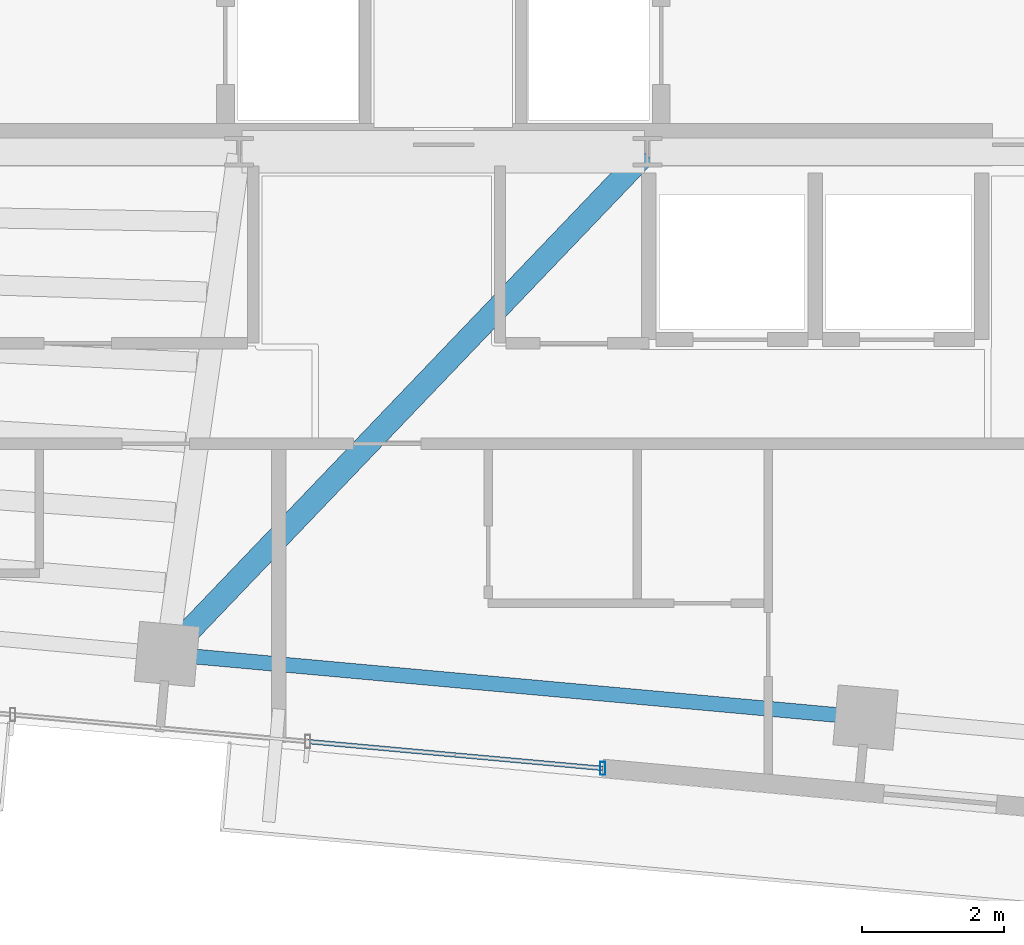
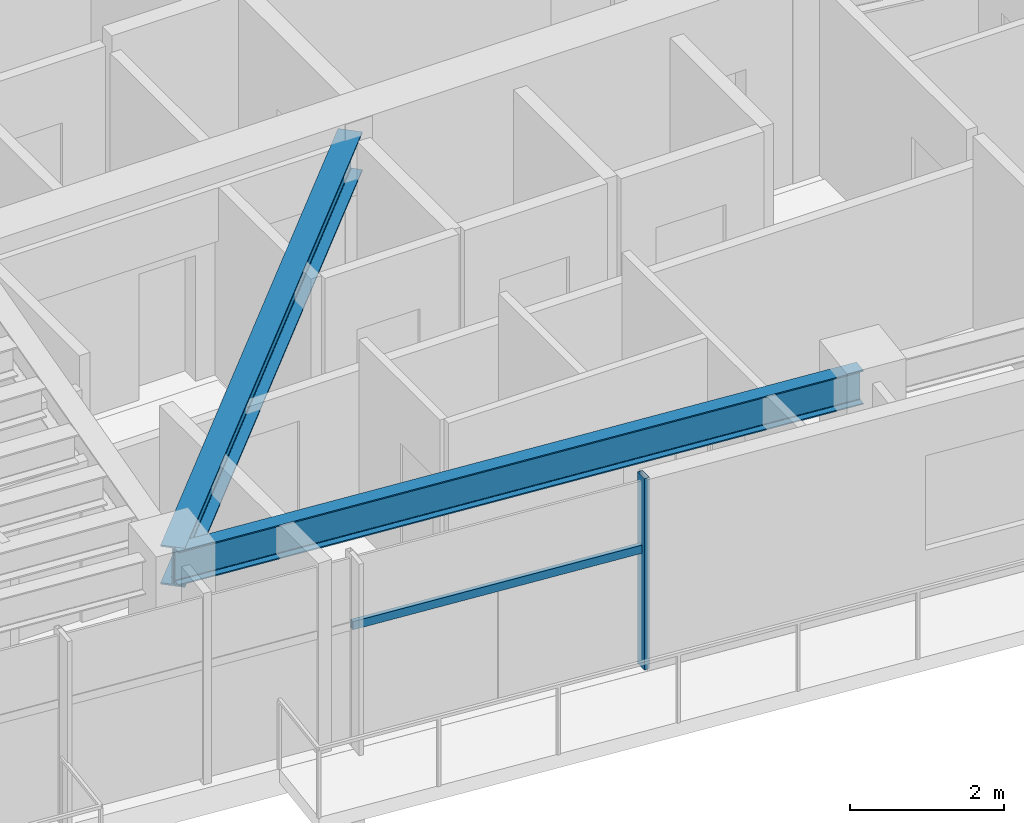
# One storey, part 7 of 22: 2 beams, 2 members, 1 element without a shape of its own.
"""IFC4 building model written with IfcOpenShell, lengths in metres."""

from ifc_helpers import new_model, si_unit, direction, frame, origin, origin_2d, place, context, subcontext, project, spatial, hollow_rectangle, i_section, extrude, source, transform, mapped, material, material_profile, profile_set, type_object, type_shapes, element, aggregate, save


model = new_model("IFC4")

# Units and contexts
model_context = context("Model", 3, precision=1e-05, world=origin(), true_north=direction((0.0, 1.0)))
body_context = subcontext(model_context, "Body", "Model", "MODEL_VIEW")
ifc_project = project(units=[si_unit("LENGTHUNIT", "METRE"), si_unit("AREAUNIT", "SQUARE_METRE"), si_unit("VOLUMEUNIT", "CUBIC_METRE"), si_unit("PLANEANGLEUNIT", "RADIAN"), si_unit("MASSUNIT", "GRAM", prefix="KILO")], contexts=[model_context])

# Site, building, storey
site_placement = place(None, origin())
site = spatial("IfcSite", under=ifc_project, at=site_placement, CompositionType="ELEMENT")
building_placement = place(site_placement, origin())
building = spatial("IfcBuilding", under=site, at=building_placement, Name="Astriad Promenade Condominiums", CompositionType="ELEMENT")
storey_placement = place(building_placement, frame((0.0, 0.0, 216.60009765625)))
storey = spatial("IfcBuildingStorey", under=building, at=storey_placement, Name="L62", CompositionType="ELEMENT", Elevation=216.60009765625)

# Beams
ifc_material_1 = material(Name="Steel ASTM A992 Grade 50", Category="steel")
ifc_material_profile_1 = material_profile(ifc_material_1, i_section(OverallWidth=0.210693359375, OverallDepth=0.53955078125, WebThickness=0.01171875, FlangeThickness=0.018798828125, FilletRadius=0.0166015625, at=origin_2d()), Name="W21X73")
ifc_profile_set_1 = profile_set([ifc_material_profile_1], Name="Steel ASTM A992 Grade 50")
beam_type_1 = type_object("IfcBeamType", Name="STEEL SPANDREL BEAM W21X73", PredefinedType="SPANDREL", material=ifc_profile_set_1)
shared_shape_1 = source(origin(), body_context, "Body", "SweptSolid", [
    extrude(i_section(OverallWidth=0.210693359375, OverallDepth=0.53955078125, WebThickness=0.01171875, FlangeThickness=0.018798828125, FilletRadius=0.0166015625, at=origin_2d()), origin(), (0.0, 0.0, 1.0), 9.820068359375),
])
type_shapes(beam_type_1, [shared_shape_1])
beam_1_placement = place(storey_placement, frame((32.14013671875, 10.30810546875, 2.77001953125), z_axis=(0.995885663174, -0.090618683965, 0.0), x_axis=(0.090618683965, 0.995885663174, 0.0)))
element("IfcBeam", 1, at=beam_1_placement, inside=storey, type_object=beam_type_1, Name="Perimeter Spandrel Beam SP-S3-L62", PredefinedType="SPANDREL", context=body_context, shape_type="MappedRepresentation", body=[
    mapped(shared_shape_1, transform((0.0, 0.0, 0.0), scale=1.0)),
])
ifc_material_profile_2 = material_profile(ifc_material_1, i_section(OverallWidth=0.326416015625, OverallDepth=0.621826171875, WebThickness=0.015380859375, FlangeThickness=0.0244140625, FilletRadius=0.017822265625, at=origin_2d()), Name="W24X131")
ifc_profile_set_2 = profile_set([ifc_material_profile_2], Name="Steel ASTM A992 Grade 50")
beam_type_2 = type_object("IfcBeamType", Name="STEEL FLOOR GIRDER W24X131", PredefinedType="BEAM", material=ifc_profile_set_2)
shared_shape_2 = source(origin(), body_context, "Body", "SweptSolid", [
    extrude(i_section(OverallWidth=0.326416015625, OverallDepth=0.621826171875, WebThickness=0.015380859375, FlangeThickness=0.0244140625, FilletRadius=0.017822265625, at=origin_2d()), origin(), (0.0, 0.0, 1.0), 9.728515625),
])
type_shapes(beam_type_2, [shared_shape_2])
beam_2_placement = place(storey_placement, frame((32.1279296875, 10.3408203125, 2.72900390625), z_axis=(0.691209540622, 0.722654392468, 0.0), x_axis=(-0.722654392468, 0.691209540622, 0.0)))
element("IfcBeam", 2, at=beam_2_placement, inside=storey, type_object=beam_type_2, Name="Primary Floor Girder PG-C2-L62", PredefinedType="BEAM", context=body_context, shape_type="MappedRepresentation", body=[
    mapped(shared_shape_2, transform((0.0, 0.0, 0.0), scale=1.0)),
])

# Curtain wall, members
ifc_material_2 = material(Name="Anodised aluminium Black Dark Glass Unitised", Category="aluminium")
curtain_wall_type = type_object("IfcCurtainWallType", Name="CW-B5-DARK", PredefinedType="USERDEFINED", material=ifc_material_2)
curtain_wall_placement = place(storey_placement, origin())
curtain_wall = element("IfcCurtainWall", 3, at=curtain_wall_placement, inside=storey, type_object=curtain_wall_type, Name="CW-L62-S", ObjectType="UNITISED_CURTAIN_WALL", PredefinedType="USERDEFINED")
ifc_material_3 = material(Name="Anodised aluminium 6063-T6 Black", Category="aluminium")
ifc_material_profile_3 = material_profile(ifc_material_3, hollow_rectangle(XDim=0.074951171875, YDim=0.18505859375, WallThickness=0.00439453125, at=origin_2d()), Name="ALU-MUL-75X185")
ifc_profile_set_3 = profile_set([ifc_material_profile_3], Name="Anodised aluminium 6063-T6 Black")
member_type_1 = type_object("IfcMemberType", Name="MUL-ALU-MUL-75X185", PredefinedType="MULLION", material=ifc_profile_set_3)
shared_shape_3 = source(origin(), body_context, "Body", "SweptSolid", [
    extrude(hollow_rectangle(XDim=0.074951171875, YDim=0.18505859375, WallThickness=0.00439453125, at=origin_2d()), origin(), (0.0, 0.0, 1.0), 3.039794921875),
])
type_shapes(member_type_1, [shared_shape_3])
member_1_placement = place(storey_placement, frame((38.24951171875, 8.69775390625, 0.0), z_axis=(0.0, 0.0, 1.0), x_axis=(1.0, 0.0, 0.0)))
member_1 = element("IfcMember", 4, at=member_1_placement, type_object=member_type_1, Name="CW-L62-S-MUL-00", PredefinedType="MULLION", context=body_context, shape_type="MappedRepresentation", body=[
    mapped(shared_shape_3, transform((0.0, 0.0, 0.0), scale=1.0)),
])
ifc_material_profile_4 = material_profile(ifc_material_3, hollow_rectangle(XDim=0.06494140625, YDim=0.1298828125, WallThickness=0.00390625, at=origin_2d()), Name="ALU-TRN-65X130")
ifc_profile_set_4 = profile_set([ifc_material_profile_4], Name="Anodised aluminium 6063-T6 Black")
member_type_2 = type_object("IfcMemberType", Name="TRN-ALU-TRN-65X130", PredefinedType="USERDEFINED", material=ifc_profile_set_4)
shared_shape_4 = source(origin(), body_context, "Body", "SweptSolid", [
    extrude(hollow_rectangle(XDim=0.06494140625, YDim=0.1298828125, WallThickness=0.00390625, at=origin_2d()), origin(), (0.0, 0.0, 1.0), 4.179931640625),
])
type_shapes(member_type_2, [shared_shape_4])
member_2_placement = place(storey_placement, frame((38.24951171875, 8.69775390625, 1.884765625), z_axis=(-0.995883146811, 0.090646334165, 0.0), x_axis=(-0.090646334165, -0.995883146811, 0.0)))
member_2 = element("IfcMember", 5, at=member_2_placement, type_object=member_type_2, Name="CW-L62-S-TRN-00-0", ObjectType="TRANSOM", PredefinedType="USERDEFINED", context=body_context, shape_type="MappedRepresentation", body=[
    mapped(shared_shape_4, transform((0.0, 0.0, 0.0), scale=1.0)),
])
aggregate(curtain_wall, [member_1, member_2])

save(model, "model.ifc")
